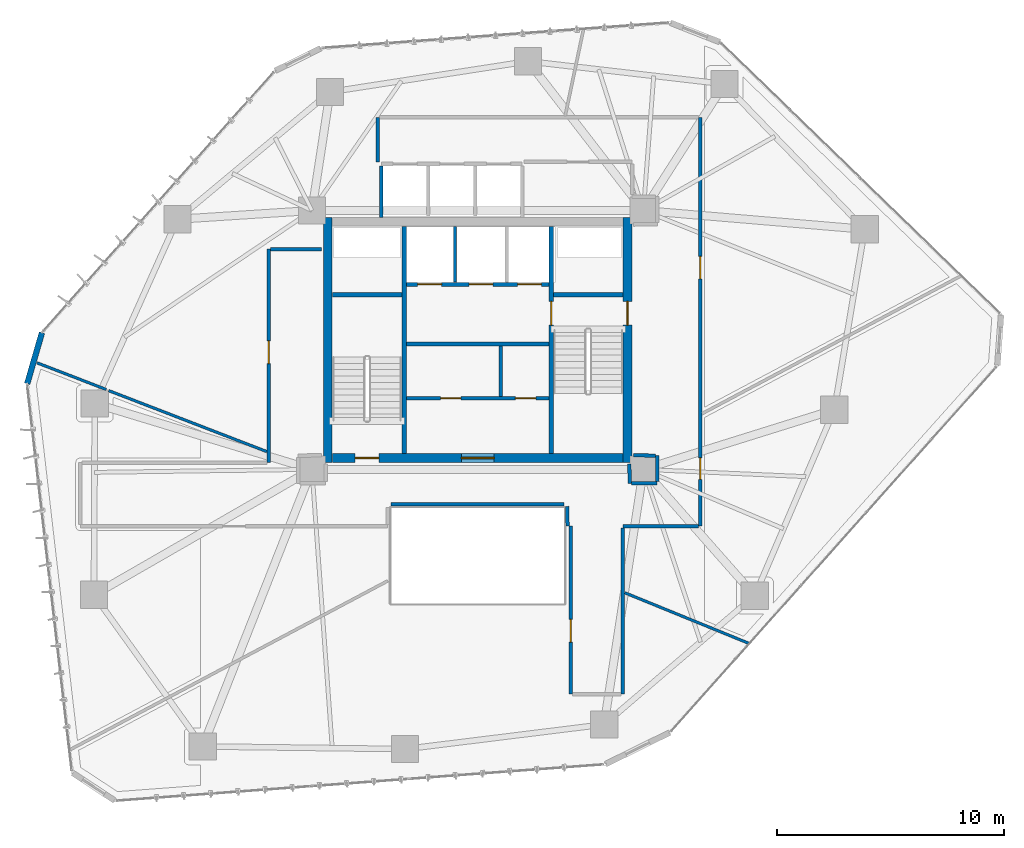
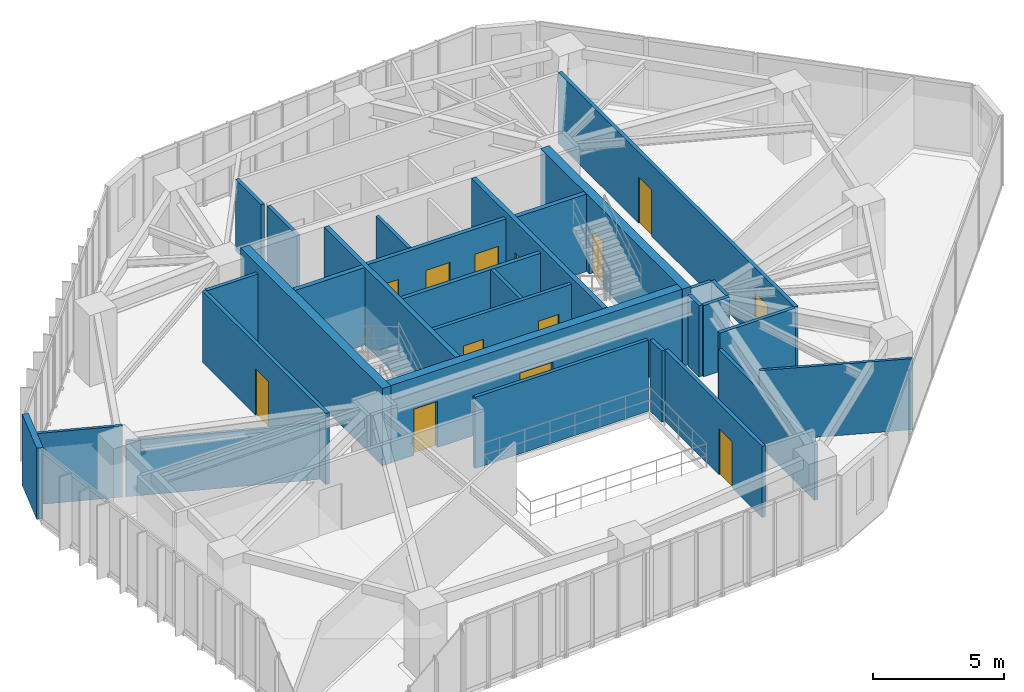
# One storey, part 18 of 23: 30 walls, 13 doors, 13 openings.
"""IFC4 building model written with IfcOpenShell, lengths in metres."""

import ifcopenshell
import ifcopenshell.guid

model = None  # the IFC model being written
_history = None  # IfcOwnerHistory: only IFC2X3 demands one
_inside = {}  # id of a spatial element -> (the spatial element, [elements in it])
_under = {}  # id of a project, library or spatial element -> (it, [spatial elements below it])
_declared = {}  # id of a project -> (the project, [libraries it declares])
_typed = {}  # id of a type object -> (the type object, [elements of that type])
_made_of = {}  # id of a material, layer set ... -> (it, [elements and type objects made of it])


def new_model(schema):
    """Start an empty IFC model of exactly this schema.

    Asked for "IFC4X3", IfcOpenShell would pick the latest addendum, in which some entities
    have other attributes; the version numbers below select the first issue.
    IFC2X3 requires an IfcOwnerHistory on every rooted entity: one is made here for all.
    """
    global model, _history
    if schema == "IFC4X3":
        model = ifcopenshell.file(schema_version=(4, 3, 0, 0))
    else:
        model = ifcopenshell.file(schema=schema)
    _inside.clear()
    _under.clear()
    _declared.clear()
    _typed.clear()
    _made_of.clear()
    _history = None
    if model.schema == "IFC2X3":
        org = make("IfcOrganization", Name="unknown")
        user = make(
            "IfcPersonAndOrganization",
            ThePerson=make("IfcPerson", FamilyName="unknown"),
            TheOrganization=org,
        )
        app = make(
            "IfcApplication",
            ApplicationDeveloper=org,
            Version="unknown",
            ApplicationFullName="unknown",
            ApplicationIdentifier="unknown",
        )
        _history = make(
            "IfcOwnerHistory",
            OwningUser=user,
            OwningApplication=app,
            ChangeAction="ADDED",
            CreationDate=0,
        )
    return model


def make(cls, **values):
    """One entity of the class cls with the attributes given. An attribute that is None is left unset."""
    return model.create_entity(
        cls, **{name: value for name, value in values.items() if value is not None}
    )


def rooted(cls, **values):
    """An entity with a GlobalId (a new one), such as an element, a storey or a relation."""
    return make(cls, GlobalId=ifcopenshell.guid.new(), OwnerHistory=_history, **values)


def si_unit(unit_type, name, prefix=None):
    """IfcSIUnit, for example si_unit("LENGTHUNIT", "METRE", prefix="MILLI")."""
    return make("IfcSIUnit", UnitType=unit_type, Prefix=prefix, Name=name)


def assignment(units):
    """IfcUnitAssignment: the units of a project."""
    return None if units is None else make("IfcUnitAssignment", Units=units)


def point(xyz):
    """IfcCartesianPoint."""
    return None if xyz is None else make("IfcCartesianPoint", Coordinates=xyz)


def direction(xyz):
    """IfcDirection."""
    return None if xyz is None else make("IfcDirection", DirectionRatios=xyz)


def frame(location, z_axis=None, x_axis=None):
    """IfcAxis2Placement3D, a coordinate frame: its origin and axes. An axis left out is left unset."""
    return make(
        "IfcAxis2Placement3D",
        Location=point(location),
        Axis=direction(z_axis),
        RefDirection=direction(x_axis),
    )


def frame_2d(location, x_axis=None):
    """IfcAxis2Placement2D, a coordinate frame in the plane: its origin and x axis."""
    return make(
        "IfcAxis2Placement2D", Location=point(location), RefDirection=direction(x_axis)
    )


def origin():
    """The frame at (0, 0, 0) with its axes left unset."""
    return frame((0.0, 0.0, 0.0))


def place(relative_to, where):
    """IfcLocalPlacement: puts the frame where relative to a parent placement (None: the world)."""
    return make(
        "IfcLocalPlacement", PlacementRelTo=relative_to, RelativePlacement=where
    )


def context(
    kind, dimensions, precision=None, world=None, true_north=None, identifier=None
):
    """IfcGeometricRepresentationContext, for example the 3D "Model" context."""
    return make(
        "IfcGeometricRepresentationContext",
        ContextIdentifier=identifier,
        ContextType=kind,
        CoordinateSpaceDimension=dimensions,
        Precision=precision,
        WorldCoordinateSystem=world,
        TrueNorth=true_north,
    )


def subcontext(parent, identifier, kind, view, scale=None):
    """IfcGeometricRepresentationSubContext, for example "Body" below "Model"."""
    return make(
        "IfcGeometricRepresentationSubContext",
        ContextIdentifier=identifier,
        ContextType=kind,
        ParentContext=parent,
        TargetScale=scale,
        TargetView=view,
    )


def project(units=None, contexts=None):
    """IfcProject with its units and contexts."""
    return rooted(
        "IfcProject",
        Name="project",
        RepresentationContexts=contexts,
        UnitsInContext=assignment(units),
    )


def spatial(cls, under=None, at=None, **own):
    """A site, building, storey or space (cls), placed at a placement, below another one or the project."""
    s = rooted(cls, ObjectPlacement=at, **own)
    if under is not None:
        _under.setdefault(under.id(), (under, []))[1].append(s)
    return s


def profile(cls, at=None, kind="AREA", **sizes):
    """A parametric profile (cls). Its sizes go by their IFC names, for example OverallWidth=200.0."""
    return make(cls, ProfileType=kind, Position=at, **sizes)


def rectangle(**sizes):
    """IfcRectangleProfileDef."""
    return profile("IfcRectangleProfileDef", **sizes)


def extrude(swept, where, along, depth):
    """IfcExtrudedAreaSolid: the profile swept, set in the frame where, extruded along a direction by depth."""
    return make(
        "IfcExtrudedAreaSolid",
        SweptArea=swept,
        Position=where,
        ExtrudedDirection=direction(along),
        Depth=depth,
    )


def shape(context_of_items, identifier, shape_type, items):
    """IfcShapeRepresentation: the items that make up one representation, for example the "Body"."""
    return make(
        "IfcShapeRepresentation",
        ContextOfItems=context_of_items,
        RepresentationIdentifier=identifier,
        RepresentationType=shape_type,
        Items=items,
    )


def source(mapping_origin, context_of_items, identifier, shape_type, items):
    """IfcRepresentationMap: a shape defined once, which mapped items show again and again."""
    return make(
        "IfcRepresentationMap",
        MappingOrigin=mapping_origin,
        MappedRepresentation=shape(context_of_items, identifier, shape_type, items),
    )


def transform(
    local_origin,
    x_axis=None,
    y_axis=None,
    z_axis=None,
    scale=None,
    scale2=None,
    scale3=None,
    uniform=True,
):
    """IfcCartesianTransformationOperator3D, or its non-uniform kind. x_axis, y_axis, z_axis: its Axis1, 2, 3."""
    if uniform:
        return make(
            "IfcCartesianTransformationOperator3D",
            Axis1=direction(x_axis),
            Axis2=direction(y_axis),
            LocalOrigin=point(local_origin),
            Scale=scale,
            Axis3=direction(z_axis),
        )
    return make(
        "IfcCartesianTransformationOperator3DnonUniform",
        Axis1=direction(x_axis),
        Axis2=direction(y_axis),
        LocalOrigin=point(local_origin),
        Scale=scale,
        Axis3=direction(z_axis),
        Scale2=scale2,
        Scale3=scale3,
    )


def mapped(mapping_source, mapping_target):
    """IfcMappedItem: shows the shape of a source again, moved by a transform."""
    return make(
        "IfcMappedItem", MappingSource=mapping_source, MappingTarget=mapping_target
    )


def material(Name=None, Category=None):
    """IfcMaterial."""
    return make("IfcMaterial", Name=Name, Category=Category)


def layer(
    of_material, thickness, ventilated=None, Name=None, Category=None, Priority=None
):
    """IfcMaterialLayer: one layer of a wall or slab, of a material (None: an air gap)."""
    return make(
        "IfcMaterialLayer",
        Material=of_material,
        LayerThickness=thickness,
        IsVentilated=ventilated,
        Name=Name,
        Category=Category,
        Priority=Priority,
    )


def layer_set(layers, Name=None):
    """IfcMaterialLayerSet."""
    return make("IfcMaterialLayerSet", MaterialLayers=layers, LayerSetName=Name)


def made_of(thing, what):
    """Note that an element or type object is made of a material, layer set ...; save() writes the relation."""
    if what is not None:
        _made_of.setdefault(what.id(), (what, []))[1].append(thing)
    return thing


def type_object(cls, material=None, **own):
    """A type object (cls), such as IfcWallType, which elements share."""
    return made_of(rooted(cls, **own), material)


def type_shapes(of_type, sources):
    """Give a type object the sources (RepresentationMaps) that its elements show as mapped items."""
    of_type.RepresentationMaps = sources


def element(
    cls,
    number,
    at=None,
    inside=None,
    cuts=None,
    type_object=None,
    material=None,
    context=None,
    identifier="Body",
    shape_type=None,
    held_by="IfcProductDefinitionShape",
    body=None,
    shapes=None,
    **own,
):
    """One element of the class cls, such as IfcWall. Its Tag is "e" and its number.

    at: its placement. inside: the storey or other place that contains it. cuts: it is an
    opening in that element (IfcRelVoidsElement). A single representation is given by context,
    identifier, shape_type and body (its items); several are given by shapes. held_by: the class
    of the entity that holds the representations. save() writes the other relations.
    """
    e = rooted(cls, Tag="e%d" % number, ObjectPlacement=at, **own)
    if body is not None:
        shapes = [shape(context, identifier, shape_type, body)]
    if shapes is not None:
        e.Representation = make(held_by, Representations=shapes)
    if inside is not None:
        _inside.setdefault(inside.id(), (inside, []))[1].append(e)
    if cuts is not None:
        rooted(
            "IfcRelVoidsElement", RelatingBuildingElement=cuts, RelatedOpeningElement=e
        )
    if type_object is not None:
        _typed.setdefault(type_object.id(), (type_object, []))[1].append(e)
    return made_of(e, material)


def fill(opening, filler):
    """IfcRelFillsElement: the door or window that sits in an opening."""
    return rooted(
        "IfcRelFillsElement",
        RelatingOpeningElement=opening,
        RelatedBuildingElement=filler,
    )


def aggregate(whole, parts):
    """IfcRelAggregates: a whole, such as a stair, and the parts it consists of."""
    return rooted("IfcRelAggregates", RelatingObject=whole, RelatedObjects=parts)


def save(model, path):
    """Write the relations noted so far, then the file.

    IfcRelAggregates (storeys below a building ...), IfcRelContainedInSpatialStructure (elements
    in a storey), IfcRelDefinesByType, IfcRelAssociatesMaterial and IfcRelDeclares: one each for
    every whole, place, type object, material and project.
    """
    for whole, parts in _under.values():
        aggregate(whole, parts)
    for where, things in _inside.values():
        rooted(
            "IfcRelContainedInSpatialStructure",
            RelatedElements=things,
            RelatingStructure=where,
        )
    for kind, things in _typed.values():
        rooted("IfcRelDefinesByType", RelatedObjects=things, RelatingType=kind)
    for what, things in _made_of.values():
        rooted("IfcRelAssociatesMaterial", RelatedObjects=things, RelatingMaterial=what)
    for by, libraries in _declared.values():
        rooted("IfcRelDeclares", RelatingContext=by, RelatedDefinitions=libraries)
    model.write(path)


model = new_model("IFC4")

# Units and contexts
model_context = context("Model", 3, precision=1e-05, world=origin(), true_north=direction((0.0, 1.0)))
body_context = subcontext(model_context, "Body", "Model", "MODEL_VIEW")
ifc_project = project(units=[si_unit("LENGTHUNIT", "METRE"), si_unit("AREAUNIT", "SQUARE_METRE"), si_unit("VOLUMEUNIT", "CUBIC_METRE"), si_unit("PLANEANGLEUNIT", "RADIAN"), si_unit("MASSUNIT", "GRAM", prefix="KILO")], contexts=[model_context])

# Site, building, storey
site_placement = place(None, origin())
site = spatial("IfcSite", under=ifc_project, at=site_placement, CompositionType="ELEMENT")
building_placement = place(site_placement, origin())
building = spatial("IfcBuilding", under=site, at=building_placement, Name="Talar Marvaseh", CompositionType="ELEMENT")
storey_placement = place(building_placement, frame((0.0, 0.0, 103.800048828125)))
storey = spatial("IfcBuildingStorey", under=building, at=storey_placement, Name="L26", CompositionType="ELEMENT", Elevation=103.800048828125)

# Wall
ifc_material_1 = material(Name="Precast concrete C45/55", Category="concrete")
ifc_layer_1 = layer(ifc_material_1, 0.2548828125)
ifc_layer_set_1 = layer_set([ifc_layer_1], Name="Precast concrete C45/55")
wall_type_1 = type_object("IfcWallType", Name="Chamfered Hexagonal Corner Pier Wall Z2 255", PredefinedType="SOLIDWALL", material=ifc_layer_set_1)
wall_1_placement = place(storey_placement, frame((6.162109375, 29.275146484375, 0.0), z_axis=(0.0, 0.0, 1.0), x_axis=(0.27764019342, 0.960685132079, 0.0)))
element("IfcWall", 1, at=wall_1_placement, inside=storey, type_object=wall_type_1, Name="L26 Chamfered Corner Limestone Pier 2", PredefinedType="SOLIDWALL", context=body_context, shape_type="SweptSolid", body=[
    extrude(rectangle(XDim=2.3408203125, YDim=0.2548828125, at=frame_2d((1.17041015625, 0.0))), origin(), (0.0, 0.0, 1.0), 3.31005859375),
])

# Wall, openings, doors
ifc_material_2 = material(Name="Gypsum Board Partition Assembly")
ifc_layer_2 = layer(ifc_material_2, 0.155029296875)
ifc_layer_set_2 = layer_set([ifc_layer_2], Name="Gypsum Board Partition Assembly")
wall_type_2 = type_object("IfcWallType", Name="Corridor Fire-Rated Acoustic Partition 155", PredefinedType="PARTITIONING", material=ifc_layer_set_2)
wall_2_placement = place(storey_placement, frame((22.865966796875, 28.639892578125, 0.0), z_axis=(0.0, 0.0, 1.0), x_axis=(1.0, 0.0, 0.0)))
wall_2 = element("IfcWall", 2, at=wall_2_placement, inside=storey, type_object=wall_type_2, Name="L26 Core BOH Partition", PredefinedType="PARTITIONING", context=body_context, shape_type="SweptSolid", body=[
    extrude(rectangle(XDim=6.26806640625, YDim=0.155029296875, at=frame_2d((3.134033203125, 0.0))), origin(), (0.0, 0.0, 1.0), 3.31005859375),
])
opening_1_placement = place(wall_2_placement, frame((1.5, 0.0, 0.0)))
opening_1 = element("IfcOpeningElement", 3, at=opening_1_placement, cuts=wall_2, Name="Opening DR-BOH090", PredefinedType="OPENING", context=body_context, shape_type="SweptSolid", body=[
    extrude(rectangle(XDim=0.89990234375, YDim=2.10009765625, at=frame_2d((0.449951171875, 1.050048828125))), frame((0.0, 0.08740234375, 0.0), z_axis=(0.0, -1.0, 0.0), x_axis=(1.0, 0.0, 0.0)), (0.0, 0.0, 1.0), 0.175048828125),
])
opening_2_placement = place(wall_2_placement, frame((4.800048828125, 0.0, 0.0)))
opening_2 = element("IfcOpeningElement", 4, at=opening_2_placement, cuts=wall_2, Name="Opening DR-BOH090", PredefinedType="OPENING", context=body_context, shape_type="SweptSolid", body=[
    extrude(rectangle(XDim=0.89990234375, YDim=2.10009765625, at=frame_2d((0.449951171875, 1.050048828125))), frame((0.0, 0.08740234375, 0.0), z_axis=(0.0, -1.0, 0.0), x_axis=(1.0, 0.0, 0.0)), (0.0, 0.0, 1.0), 0.175048828125),
])
ifc_material_3 = material(Name="Fire-Rated Steel Door Leaf", Category="steel")
door_type_1 = type_object("IfcDoorType", Name="Core Back-of-House Service Door 900x2100", OperationType="NOTDEFINED", PredefinedType="DOOR", material=ifc_material_3)
shared_shape_1 = source(origin(), body_context, "Body", "SweptSolid", [
    extrude(rectangle(XDim=0.89990234375, YDim=2.10009765625, at=frame_2d((0.449951171875, 1.050048828125))), frame((0.0, 0.02490234375, 0.0), z_axis=(0.0, -1.0, 0.0), x_axis=(1.0, 0.0, 0.0)), (0.0, 0.0, 1.0), 0.050048828125),
])
type_shapes(door_type_1, [shared_shape_1])
door_1_placement = place(opening_1_placement, origin())
door_1 = element("IfcDoor", 5, at=door_1_placement, inside=storey, type_object=door_type_1, Name="L26 Plant Core Comms Switch Room Door", OperationType="SINGLE_SWING_LEFT", OverallHeight=2.10009765625, OverallWidth=0.89990234375, PredefinedType="DOOR", context=body_context, shape_type="MappedRepresentation", body=[
    mapped(shared_shape_1, transform((0.0, 0.0, 0.0), x_axis=(1.0, 0.0, 0.0), y_axis=(0.0, 1.0, 0.0), z_axis=(0.0, 0.0, 1.0), scale=1.0)),
])
fill(opening_1, door_1)
door_2_placement = place(opening_2_placement, origin())
door_2 = element("IfcDoor", 6, at=door_2_placement, inside=storey, type_object=door_type_1, Name="L26 Cleaner Cupboard Door", OperationType="SINGLE_SWING_RIGHT", OverallHeight=2.10009765625, OverallWidth=0.89990234375, PredefinedType="DOOR", context=body_context, shape_type="MappedRepresentation", body=[
    mapped(shared_shape_1, transform((0.0, 0.0, 0.0), x_axis=(1.0, 0.0, 0.0), y_axis=(0.0, 1.0, 0.0), z_axis=(0.0, 0.0, 1.0), scale=1.0)),
])
fill(opening_2, door_2)

# Wall
wall_3_placement = place(storey_placement, frame((27.02001953125, 28.719970703125, 0.0), z_axis=(0.0, 0.0, 1.0), x_axis=(0.0, 1.0, 0.0)))
element("IfcWall", 7, at=wall_3_placement, inside=storey, type_object=wall_type_2, Name="L26 Core BOH Partition", PredefinedType="PARTITIONING", context=body_context, shape_type="SweptSolid", body=[
    extrude(rectangle(XDim=2.219970703125, YDim=0.155029296875, at=frame_2d((1.10986328125, 0.0))), origin(), (0.0, 0.0, 1.0), 3.31005859375),
])

# Wall, opening, door
wall_4_placement = place(storey_placement, frame((16.800048828125, 25.800048828125, 0.0), z_axis=(0.0, 0.0, 1.0), x_axis=(0.0, 1.0, 0.0)))
wall_4 = element("IfcWall", 8, at=wall_4_placement, inside=storey, type_object=wall_type_2, Name="L26 Interior Partition Wall", PredefinedType="PARTITIONING", context=body_context, shape_type="SweptSolid", body=[
    extrude(rectangle(XDim=9.39990234375, YDim=0.155029296875, at=frame_2d((4.699951171875, 0.0))), origin(), (0.0, 0.0, 1.0), 3.31005859375),
])
opening_3_placement = place(wall_4_placement, frame((4.356201171875, 0.0, 0.0)))
opening_3 = element("IfcOpeningElement", 9, at=opening_3_placement, cuts=wall_4, Name="Opening DR-RM100", PredefinedType="OPENING", context=body_context, shape_type="SweptSolid", body=[
    extrude(rectangle(XDim=1.0, YDim=2.14990234375, at=frame_2d((0.5, 1.074951171875))), frame((0.0, 0.08740234375, 0.0), z_axis=(0.0, -1.0, 0.0), x_axis=(1.0, 0.0, 0.0)), (0.0, 0.0, 1.0), 0.175048828125),
])
ifc_material_4 = material(Name="Acoustic Engineered Oak Timber", Category="wood")
door_type_2 = type_object("IfcDoorType", Name="Corridor Fire-Rated Gallery Door 1000x2150", OperationType="NOTDEFINED", PredefinedType="DOOR", material=ifc_material_4)
shared_shape_2 = source(origin(), body_context, "Body", "SweptSolid", [
    extrude(rectangle(XDim=1.0, YDim=2.14990234375, at=frame_2d((0.5, 1.074951171875))), frame((0.0, 0.02490234375, 0.0), z_axis=(0.0, -1.0, 0.0), x_axis=(1.0, 0.0, 0.0)), (0.0, 0.0, 1.0), 0.050048828125),
])
type_shapes(door_type_2, [shared_shape_2])
door_3_placement = place(opening_3_placement, origin())
door_3 = element("IfcDoor", 10, at=door_3_placement, inside=storey, type_object=door_type_2, Name="L26 Colloquium Boardroom Door", OperationType="SINGLE_SWING_RIGHT", OverallHeight=2.14990234375, OverallWidth=1.0, PredefinedType="DOOR", context=body_context, shape_type="MappedRepresentation", body=[
    mapped(shared_shape_2, transform((0.0, 0.0, 0.0), x_axis=(1.0, 0.0, 0.0), y_axis=(0.0, 1.0, 0.0), z_axis=(0.0, 0.0, 1.0), scale=1.0)),
])
fill(opening_3, door_3)

# Wall, openings, doors
wall_5_placement = place(storey_placement, frame((35.800048828125, 41.0, 0.0), z_axis=(0.0, 0.0, 1.0), x_axis=(0.0, -1.0, 0.0)))
wall_5 = element("IfcWall", 11, at=wall_5_placement, inside=storey, type_object=wall_type_2, Name="L26 Interior Partition Wall", PredefinedType="PARTITIONING", context=body_context, shape_type="SweptSolid", body=[
    extrude(rectangle(XDim=18.0, YDim=0.155029296875, at=frame_2d((9.0, 0.0))), origin(), (0.0, 0.0, 1.0), 3.31005859375),
])
opening_4_placement = place(wall_5_placement, frame((14.990234375, 0.0, 0.0)))
opening_4 = element("IfcOpeningElement", 12, at=opening_4_placement, cuts=wall_5, Name="Opening DR-WC095", PredefinedType="OPENING", context=body_context, shape_type="SweptSolid", body=[
    extrude(rectangle(XDim=0.949951171875, YDim=2.14990234375, at=frame_2d((0.47509765625, 1.074951171875))), frame((0.0, 0.08740234375, 0.0), z_axis=(0.0, -1.0, 0.0), x_axis=(1.0, 0.0, 0.0)), (0.0, 0.0, 1.0), 0.175048828125),
])
opening_5_placement = place(wall_5_placement, frame((6.114501953125, 0.0, 0.0)))
opening_5 = element("IfcOpeningElement", 13, at=opening_5_placement, cuts=wall_5, Name="Opening DR-RM100", PredefinedType="OPENING", context=body_context, shape_type="SweptSolid", body=[
    extrude(rectangle(XDim=1.0, YDim=2.14990234375, at=frame_2d((0.5, 1.074951171875))), frame((0.0, 0.08740234375, 0.0), z_axis=(0.0, -1.0, 0.0), x_axis=(1.0, 0.0, 0.0)), (0.0, 0.0, 1.0), 0.175048828125),
])
door_type_3 = type_object("IfcDoorType", Name="Washroom and Service Room Door 950x2150", OperationType="NOTDEFINED", PredefinedType="DOOR", material=ifc_material_4)
shared_shape_3 = source(origin(), body_context, "Body", "SweptSolid", [
    extrude(rectangle(XDim=0.949951171875, YDim=2.14990234375, at=frame_2d((0.47509765625, 1.074951171875))), frame((0.0, 0.02490234375, 0.0), z_axis=(0.0, -1.0, 0.0), x_axis=(1.0, 0.0, 0.0)), (0.0, 0.0, 1.0), 0.050048828125),
])
type_shapes(door_type_3, [shared_shape_3])
door_4_placement = place(opening_4_placement, origin())
door_4 = element("IfcDoor", 14, at=door_4_placement, inside=storey, type_object=door_type_3, Name="L26 Accessible WC Block Door", OperationType="SINGLE_SWING_LEFT", OverallHeight=2.14990234375, OverallWidth=0.949951171875, PredefinedType="DOOR", context=body_context, shape_type="MappedRepresentation", body=[
    mapped(shared_shape_3, transform((0.0, 0.0, 0.0), x_axis=(1.0, 0.0, 0.0), y_axis=(0.0, 1.0, 0.0), z_axis=(0.0, 0.0, 1.0), scale=1.0)),
])
fill(opening_4, door_4)
door_5_placement = place(opening_5_placement, origin())
door_5 = element("IfcDoor", 15, at=door_5_placement, inside=storey, type_object=door_type_2, Name="L26 Archival Research Office Door", OperationType="SINGLE_SWING_RIGHT", OverallHeight=2.14990234375, OverallWidth=1.0, PredefinedType="DOOR", context=body_context, shape_type="MappedRepresentation", body=[
    mapped(shared_shape_2, transform((0.0, 0.0, 0.0), x_axis=(1.0, 0.0, 0.0), y_axis=(0.0, 1.0, 0.0), z_axis=(0.0, 0.0, 1.0), scale=1.0)),
])
fill(opening_5, door_5)

# Wall, opening, door
wall_6_placement = place(storey_placement, frame((30.10009765625, 15.60009765625, 0.0), z_axis=(0.0, 0.0, 1.0), x_axis=(0.0, 1.0, 0.0)))
wall_6 = element("IfcWall", 16, at=wall_6_placement, inside=storey, type_object=wall_type_2, Name="L26 Interior Partition Wall", PredefinedType="PARTITIONING", context=body_context, shape_type="SweptSolid", body=[
    extrude(rectangle(XDim=7.39990234375, YDim=0.155029296875, at=frame_2d((3.699951171875, 0.0))), origin(), (0.0, 0.0, 1.0), 3.31005859375),
])
opening_6_placement = place(wall_6_placement, frame((2.291259765625, 0.0, 0.0)))
opening_6 = element("IfcOpeningElement", 17, at=opening_6_placement, cuts=wall_6, Name="Opening DR-RM100", PredefinedType="OPENING", context=body_context, shape_type="SweptSolid", body=[
    extrude(rectangle(XDim=1.0, YDim=2.14990234375, at=frame_2d((0.5, 1.074951171875))), frame((0.0, 0.08740234375, 0.0), z_axis=(0.0, -1.0, 0.0), x_axis=(1.0, 0.0, 0.0)), (0.0, 0.0, 1.0), 0.175048828125),
])
door_6_placement = place(opening_6_placement, origin())
door_6 = element("IfcDoor", 18, at=door_6_placement, inside=storey, type_object=door_type_2, Name="L26 Seminar Room Door", OperationType="SINGLE_SWING_RIGHT", OverallHeight=2.14990234375, OverallWidth=1.0, PredefinedType="DOOR", context=body_context, shape_type="MappedRepresentation", body=[
    mapped(shared_shape_2, transform((0.0, 0.0, 0.0), x_axis=(1.0, 0.0, 0.0), y_axis=(0.0, 1.0, 0.0), z_axis=(0.0, 0.0, 1.0), scale=1.0)),
])
fill(opening_6, door_6)

# Walls
wall_7_placement = place(storey_placement, frame((29.800048828125, 23.9599609375, 0.0), z_axis=(0.0, 0.0, 1.0), x_axis=(-0.999999995375, -9.617234e-05, 0.0)))
element("IfcWall", 19, at=wall_7_placement, inside=storey, type_object=wall_type_2, Name="L26 Interior Partition Wall", PredefinedType="PARTITIONING", context=body_context, shape_type="SweptSolid", body=[
    extrude(rectangle(XDim=7.61572265625, YDim=0.155029296875, at=frame_2d((3.807861328125, 0.0))), origin(), (0.0, 0.0, 1.0), 3.31005859375),
])
wall_8_placement = place(storey_placement, frame((16.883544921875, 35.199951171875, 0.0), z_axis=(0.0, 0.0, 1.0), x_axis=(1.0, 0.0, 0.0)))
element("IfcWall", 20, at=wall_8_placement, inside=storey, type_object=wall_type_2, Name="L26 Interior Partition Wall", PredefinedType="PARTITIONING", context=body_context, shape_type="SweptSolid", body=[
    extrude(rectangle(XDim=2.246337890625, YDim=0.155029296875, at=frame_2d((1.123046875, 0.0))), origin(), (0.0, 0.0, 1.0), 3.31005859375),
])
wall_9_placement = place(storey_placement, frame((32.68505859375, 25.72998046875, 0.0), z_axis=(0.0, 0.0, 1.0), x_axis=(0.006382231486, -0.999979633353, 0.0)))
element("IfcWall", 21, at=wall_9_placement, inside=storey, type_object=wall_type_2, Name="L26 Interior Partition Wall", PredefinedType="PARTITIONING", context=body_context, shape_type="SweptSolid", body=[
    extrude(rectangle(XDim=0.841552734375, YDim=0.155029296875, at=frame_2d((0.4208984375, 0.0))), origin(), (0.0, 0.0, 1.0), 3.31005859375),
])
wall_10_placement = place(storey_placement, frame((32.77392578125, 24.88818359375, 0.0), z_axis=(0.0, 0.0, 1.0), x_axis=(0.999999164303, -0.001292823742, 0.0)))
element("IfcWall", 22, at=wall_10_placement, inside=storey, type_object=wall_type_2, Name="L26 Interior Partition Wall", PredefinedType="PARTITIONING", context=body_context, shape_type="SweptSolid", body=[
    extrude(rectangle(XDim=1.133056640625, YDim=0.155029296875, at=frame_2d((0.56640625, 0.0))), origin(), (0.0, 0.0, 1.0), 3.31005859375),
])
wall_11_placement = place(storey_placement, frame((33.907470703125, 24.97021484375, 0.0), z_axis=(0.0, 0.0, 1.0), x_axis=(0.003642572792, 0.99999336581, 0.0)))
element("IfcWall", 23, at=wall_11_placement, inside=storey, type_object=wall_type_2, Name="L26 Interior Partition Wall", PredefinedType="PARTITIONING", context=body_context, shape_type="SweptSolid", body=[
    extrude(rectangle(XDim=1.139404296875, YDim=0.155029296875, at=frame_2d((0.56982421875, 0.0))), origin(), (0.0, 0.0, 1.0), 3.31005859375),
])
wall_12_placement = place(storey_placement, frame((33.828125, 26.110107421875, 0.0), z_axis=(0.0, 0.0, 1.0), x_axis=(-0.999987011364, 0.005096773758, 0.0)))
element("IfcWall", 24, at=wall_12_placement, inside=storey, type_object=wall_type_2, Name="L26 Interior Partition Wall", PredefinedType="PARTITIONING", context=body_context, shape_type="SweptSolid", body=[
    extrude(rectangle(XDim=0.9580078125, YDim=0.155029296875, at=frame_2d((0.47900390625, 0.0))), origin(), (0.0, 0.0, 1.0), 3.31005859375),
])
wall_13_placement = place(storey_placement, frame((21.60009765625, 39.0400390625, 0.0), z_axis=(0.0, 0.0, 1.0), x_axis=(0.0, 1.0, 0.0)))
element("IfcWall", 25, at=wall_13_placement, inside=storey, type_object=wall_type_2, Name="L26 Interior Partition Wall", PredefinedType="PARTITIONING", context=body_context, shape_type="SweptSolid", body=[
    extrude(rectangle(XDim=1.9599609375, YDim=0.155029296875, at=frame_2d((0.97998046875, 0.0))), origin(), (0.0, 0.0, 1.0), 3.31005859375),
])
wall_14_placement = place(storey_placement, frame((35.716552734375, 23.0, 0.0), z_axis=(0.0, 0.0, 1.0), x_axis=(-1.0, 0.0, 0.0)))
element("IfcWall", 26, at=wall_14_placement, inside=storey, type_object=wall_type_2, Name="L26 Interior Partition Wall", PredefinedType="PARTITIONING", context=body_context, shape_type="SweptSolid", body=[
    extrude(rectangle(XDim=3.316650390625, YDim=0.155029296875, at=frame_2d((1.658203125, 0.0))), origin(), (0.0, 0.0, 1.0), 3.31005859375),
])
wall_15_placement = place(storey_placement, frame((32.39990234375, 22.91650390625, 0.0), z_axis=(0.0, 0.0, 1.0), x_axis=(0.0, -1.0, 0.0)))
element("IfcWall", 27, at=wall_15_placement, inside=storey, type_object=wall_type_2, Name="L26 Interior Partition Wall", PredefinedType="PARTITIONING", context=body_context, shape_type="SweptSolid", body=[
    extrude(rectangle(XDim=7.31640625, YDim=0.155029296875, at=frame_2d((3.658203125, 0.0))), origin(), (0.0, 0.0, 1.0), 2.58984375),
])
wall_16_placement = place(storey_placement, frame((29.9599609375, 23.0, 0.0), z_axis=(0.0, 0.0, 1.0), x_axis=(-0.021467444279, 0.999769547864, 0.0)))
element("IfcWall", 28, at=wall_16_placement, inside=storey, type_object=wall_type_2, Name="L26 Interior Partition Wall", PredefinedType="PARTITIONING", context=body_context, shape_type="SweptSolid", body=[
    extrude(rectangle(XDim=0.875732421875, YDim=0.155029296875, at=frame_2d((0.43798828125, 0.0))), origin(), (0.0, 0.0, 1.0), 3.31005859375),
])
ifc_layer_3 = layer(ifc_material_2, 0.1201171875)
ifc_layer_set_3 = layer_set([ifc_layer_3], Name="Gypsum Board Partition Assembly")
wall_type_3 = type_object("IfcWallType", Name="Demountable Studio Room Partition 120", PredefinedType="PARTITIONING", material=ifc_layer_set_3)
wall_17_placement = place(storey_placement, frame((6.59619140625, 30.193115234375, 0.0), z_axis=(0.0, 0.0, 1.0), x_axis=(0.933094608605, -0.35963099337, 0.0)))
element("IfcWall", 29, at=wall_17_placement, inside=storey, type_object=wall_type_3, Name="L26 Interior Partition Wall", PredefinedType="PARTITIONING", context=body_context, shape_type="SweptSolid", body=[
    extrude(rectangle(XDim=3.261962890625, YDim=0.1201171875, at=frame_2d((1.630859375, 0.0))), origin(), (0.0, 0.0, 1.0), 3.31005859375),
])
wall_18_placement = place(storey_placement, frame((9.75, 28.969970703125, 0.0), z_axis=(0.0, 0.0, 1.0), x_axis=(0.932972642156, -0.359947286402, 0.0)))
element("IfcWall", 30, at=wall_18_placement, inside=storey, type_object=wall_type_3, Name="L26 Interior Partition Wall", PredefinedType="PARTITIONING", context=body_context, shape_type="SweptSolid", body=[
    extrude(rectangle(XDim=7.467041015625, YDim=0.1201171875, at=frame_2d((3.7333984375, 0.0))), origin(), (0.0, 0.0, 1.0), 2.58984375),
])
wall_19_placement = place(storey_placement, frame((32.4833984375, 20.06591796875, 0.0), z_axis=(0.0, 0.0, 1.0), x_axis=(0.92596585414, -0.37760725227, 0.0)))
element("IfcWall", 31, at=wall_19_placement, inside=storey, type_object=wall_type_3, Name="L26 Interior Partition Wall", PredefinedType="PARTITIONING", context=body_context, shape_type="SweptSolid", body=[
    extrude(rectangle(XDim=5.896484375, YDim=0.1201171875, at=frame_2d((2.9482421875, 0.0))), origin(), (0.0, 0.0, 1.0), 3.31005859375),
])
ifc_layer_4 = layer(ifc_material_1, 0.14501953125)
ifc_layer_set_4 = layer_set([ifc_layer_4], Name="Precast concrete C45/55")
wall_type_4 = type_object("IfcWallType", Name="Fire-Rated Lift Divider Wall 145", PredefinedType="SOLIDWALL", material=ifc_layer_set_4)
wall_20_placement = place(storey_placement, frame((25.0, 33.743408203125, 0.0), z_axis=(0.0, 0.0, 1.0), x_axis=(0.0, 1.0, 0.0)))
element("IfcWall", 32, at=wall_20_placement, inside=storey, type_object=wall_type_4, Name="L26 FFL-1/FFL-2 Divider", PredefinedType="SOLIDWALL", context=body_context, shape_type="SweptSolid", body=[
    extrude(rectangle(XDim=2.45654296875, YDim=0.14501953125, at=frame_2d((1.228271484375, 0.0))), origin(), (0.0, 0.0, 1.0), 3.31005859375),
])
wall_21_placement = place(storey_placement, frame((21.760009765625, 36.60009765625, 0.0), z_axis=(0.0, 0.0, 1.0), x_axis=(0.0, 1.0, 0.0)))
element("IfcWall", 33, at=wall_21_placement, inside=storey, type_object=wall_type_4, Name="L26 Low-Rise Bank West Wall", PredefinedType="SOLIDWALL", context=body_context, shape_type="SweptSolid", body=[
    extrude(rectangle(XDim=2.266357421875, YDim=0.14501953125, at=frame_2d((1.13330078125, 0.0))), origin(), (0.0, 0.0, 1.0), 3.31005859375),
])

# Wall, openings, doors
ifc_layer_5 = layer(ifc_material_1, 0.175048828125)
ifc_layer_set_5 = layer_set([ifc_layer_5], Name="Precast concrete C45/55")
wall_type_5 = type_object("IfcWallType", Name="Fire-Rated Lift Hoistway Enclosure Wall 175", PredefinedType="SOLIDWALL", material=ifc_layer_set_5)
wall_22_placement = place(storey_placement, frame((22.860107421875, 33.64990234375, 0.0), z_axis=(0.0, 0.0, 1.0), x_axis=(1.0, 0.0, 0.0)))
wall_22 = element("IfcWall", 34, at=wall_22_placement, inside=storey, type_object=wall_type_5, Name="L26 Firefighting and Service Lift Front Wall", PredefinedType="SOLIDWALL", context=body_context, shape_type="SweptSolid", body=[
    extrude(rectangle(XDim=6.27978515625, YDim=0.175048828125, at=frame_2d((3.139892578125, 0.0))), origin(), (0.0, 0.0, 1.0), 3.31005859375),
])
opening_7_placement = place(wall_22_placement, frame((0.5, 0.0, 0.0)))
opening_7 = element("IfcOpeningElement", 35, at=opening_7_placement, cuts=wall_22, Name="Opening LD-FF1", PredefinedType="OPENING", context=body_context, shape_type="SweptSolid", body=[
    extrude(rectangle(XDim=1.050048828125, YDim=2.14990234375, at=frame_2d((0.52490234375, 1.074951171875))), frame((0.0, 0.09765625, 0.0), z_axis=(0.0, -1.0, 0.0), x_axis=(1.0, 0.0, 0.0)), (0.0, 0.0, 1.0), 0.195068359375),
])
opening_8_placement = place(wall_22_placement, frame((2.760009765625, 0.0, 0.0)))
opening_8 = element("IfcOpeningElement", 36, at=opening_8_placement, cuts=wall_22, Name="Opening LD-FF2", PredefinedType="OPENING", context=body_context, shape_type="SweptSolid", body=[
    extrude(rectangle(XDim=1.050048828125, YDim=2.14990234375, at=frame_2d((0.52490234375, 1.074951171875))), frame((0.0, 0.09765625, 0.0), z_axis=(0.0, -1.0, 0.0), x_axis=(1.0, 0.0, 0.0)), (0.0, 0.0, 1.0), 0.195068359375),
])
opening_9_placement = place(wall_22_placement, frame((4.89990234375, 0.0, 0.0)))
opening_9 = element("IfcOpeningElement", 37, at=opening_9_placement, cuts=wall_22, Name="Opening LD-SV1", PredefinedType="OPENING", context=body_context, shape_type="SweptSolid", body=[
    extrude(rectangle(XDim=1.050048828125, YDim=2.14990234375, at=frame_2d((0.52490234375, 1.074951171875))), frame((0.0, 0.09765625, 0.0), z_axis=(0.0, -1.0, 0.0), x_axis=(1.0, 0.0, 0.0)), (0.0, 0.0, 1.0), 0.195068359375),
])
ifc_material_5 = material(Name="Stainless Steel Grade 316", Category="steel")
door_type_4 = type_object("IfcDoorType", Name="Automatic Sliding Lift Landing Door 1050x2150", OperationType="NOTDEFINED", PredefinedType="DOOR", material=ifc_material_5)
shared_shape_4 = source(origin(), body_context, "Body", "SweptSolid", [
    extrude(rectangle(XDim=1.050048828125, YDim=2.14990234375, at=frame_2d((0.52490234375, 1.074951171875))), frame((0.0, 0.02490234375, 0.0), z_axis=(0.0, -1.0, 0.0), x_axis=(1.0, 0.0, 0.0)), (0.0, 0.0, 1.0), 0.050048828125),
])
type_shapes(door_type_4, [shared_shape_4])
door_7_placement = place(opening_7_placement, origin())
door_7 = element("IfcDoor", 38, at=door_7_placement, inside=storey, type_object=door_type_4, Name="L26 Lift FFL-1 Sliding Landing Door", OperationType="SLIDING_TO_LEFT", OverallHeight=2.14990234375, OverallWidth=1.050048828125, PredefinedType="DOOR", context=body_context, shape_type="MappedRepresentation", body=[
    mapped(shared_shape_4, transform((0.0, 0.0, 0.0), x_axis=(1.0, 0.0, 0.0), y_axis=(0.0, 1.0, 0.0), z_axis=(0.0, 0.0, 1.0), scale=1.0)),
])
fill(opening_7, door_7)
door_8_placement = place(opening_8_placement, origin())
door_8 = element("IfcDoor", 39, at=door_8_placement, inside=storey, type_object=door_type_4, Name="L26 Lift FFL-2 Sliding Landing Door", OperationType="SLIDING_TO_LEFT", OverallHeight=2.14990234375, OverallWidth=1.050048828125, PredefinedType="DOOR", context=body_context, shape_type="MappedRepresentation", body=[
    mapped(shared_shape_4, transform((0.0, 0.0, 0.0), x_axis=(1.0, 0.0, 0.0), y_axis=(0.0, 1.0, 0.0), z_axis=(0.0, 0.0, 1.0), scale=1.0)),
])
fill(opening_8, door_8)
door_9_placement = place(opening_9_placement, origin())
door_9 = element("IfcDoor", 40, at=door_9_placement, inside=storey, type_object=door_type_4, Name="L26 Lift SVL-1 Sliding Landing Door", OperationType="SLIDING_TO_LEFT", OverallHeight=2.14990234375, OverallWidth=1.050048828125, PredefinedType="DOOR", context=body_context, shape_type="MappedRepresentation", body=[
    mapped(shared_shape_4, transform((0.0, 0.0, 0.0), x_axis=(1.0, 0.0, 0.0), y_axis=(0.0, 1.0, 0.0), z_axis=(0.0, 0.0, 1.0), scale=1.0)),
])
fill(opening_9, door_9)

# Walls
wall_23_placement = place(storey_placement, frame((22.860107421875, 31.02001953125, 0.0), z_axis=(0.0, 0.0, 1.0), x_axis=(1.0, 0.0, 0.0)))
element("IfcWall", 41, at=wall_23_placement, inside=storey, type_object=wall_type_5, Name="L26 Firefighting Lobby South Smoke Wall", PredefinedType="SOLIDWALL", context=body_context, shape_type="SweptSolid", body=[
    extrude(rectangle(XDim=6.27978515625, YDim=0.175048828125, at=frame_2d((3.139892578125, 0.0))), origin(), (0.0, 0.0, 1.0), 3.31005859375),
])
ifc_material_6 = material(Name="Concrete C60/75", Category="concrete")
ifc_layer_6 = layer(ifc_material_6, 0.3798828125)
ifc_layer_set_6 = layer_set([ifc_layer_6], Name="Concrete C60/75")
wall_type_6 = type_object("IfcWallType", Name="Mid Core Reinforced Concrete Shear Wall 380", PredefinedType="SHEAR", material=ifc_layer_set_6)
wall_24_placement = place(storey_placement, frame((19.39990234375, 25.800048828125, 0.0), z_axis=(0.0, 0.0, 1.0), x_axis=(0.0, 1.0, 0.0)))
element("IfcWall", 42, at=wall_24_placement, inside=storey, type_object=wall_type_6, Name="L26 West Core Shear Wall", PredefinedType="SHEAR", context=body_context, shape_type="SweptSolid", body=[
    extrude(rectangle(XDim=10.800048828125, YDim=0.3798828125, at=frame_2d((5.39990234375, 0.0))), origin(), (0.0, 0.0, 1.0), 3.599853515625),
])

# Wall, opening, door
wall_25_placement = place(storey_placement, frame((32.60009765625, 36.60009765625, 0.0), z_axis=(0.0, 0.0, 1.0), x_axis=(0.0, -1.0, 0.0)))
wall_25 = element("IfcWall", 43, at=wall_25_placement, inside=storey, type_object=wall_type_6, Name="L26 East Core Shear Wall", PredefinedType="SHEAR", context=body_context, shape_type="SweptSolid", body=[
    extrude(rectangle(XDim=10.800048828125, YDim=0.3798828125, at=frame_2d((5.39990234375, 0.0))), origin(), (0.0, 0.0, 1.0), 3.599853515625),
])
opening_10_placement = place(wall_25_placement, frame((3.699951171875, 0.0, 0.0)))
opening_10 = element("IfcOpeningElement", 44, at=opening_10_placement, cuts=wall_25, Name="Opening DR-ST105", PredefinedType="OPENING", context=body_context, shape_type="SweptSolid", body=[
    extrude(rectangle(XDim=1.050048828125, YDim=2.14990234375, at=frame_2d((0.52490234375, 1.074951171875))), frame((0.0, 0.199951171875, 0.0), z_axis=(0.0, -1.0, 0.0), x_axis=(1.0, 0.0, 0.0)), (0.0, 0.0, 1.0), 0.39990234375),
])
door_type_5 = type_object("IfcDoorType", Name="Protected Exit Stair Fire Door 1050x2150", OperationType="NOTDEFINED", PredefinedType="DOOR", material=ifc_material_3)
shared_shape_5 = source(origin(), body_context, "Body", "SweptSolid", [
    extrude(rectangle(XDim=1.050048828125, YDim=2.14990234375, at=frame_2d((0.52490234375, 1.074951171875))), frame((0.0, 0.02490234375, 0.0), z_axis=(0.0, -1.0, 0.0), x_axis=(1.0, 0.0, 0.0)), (0.0, 0.0, 1.0), 0.050048828125),
])
type_shapes(door_type_5, [shared_shape_5])
door_10_placement = place(opening_10_placement, origin())
door_10 = element("IfcDoor", 45, at=door_10_placement, inside=storey, type_object=door_type_5, Name="L26 Stair ST-2 Corridor Exit Door", OperationType="SINGLE_SWING_LEFT", OverallHeight=2.14990234375, OverallWidth=1.050048828125, PredefinedType="DOOR", context=body_context, shape_type="MappedRepresentation", body=[
    mapped(shared_shape_5, transform((0.0, 0.0, 0.0), x_axis=(1.0, 0.0, 0.0), y_axis=(0.0, 1.0, 0.0), z_axis=(0.0, 0.0, 1.0), scale=1.0)),
])
fill(opening_10, door_10)

# Wall, openings, doors
wall_26_placement = place(storey_placement, frame((32.39990234375, 26.0, 0.0), z_axis=(0.0, 0.0, 1.0), x_axis=(-1.0, 0.0, 0.0)))
wall_26 = element("IfcWall", 46, at=wall_26_placement, inside=storey, type_object=wall_type_6, Name="L26 South Core Shear Wall", PredefinedType="SHEAR", context=body_context, shape_type="SweptSolid", body=[
    extrude(rectangle(XDim=12.7998046875, YDim=0.3798828125, at=frame_2d((6.39990234375, 0.0))), origin(), (0.0, 0.0, 1.0), 3.599853515625),
])
opening_11_placement = place(wall_26_placement, frame((10.75, 0.0, 0.0)))
opening_11 = element("IfcOpeningElement", 47, at=opening_11_placement, cuts=wall_26, Name="Opening DR-ST105", PredefinedType="OPENING", context=body_context, shape_type="SweptSolid", body=[
    extrude(rectangle(XDim=1.050048828125, YDim=2.14990234375, at=frame_2d((0.52490234375, 1.074951171875))), frame((0.0, 0.199951171875, 0.0), z_axis=(0.0, -1.0, 0.0), x_axis=(1.0, 0.0, 0.0)), (0.0, 0.0, 1.0), 0.39990234375),
])
opening_12_placement = place(wall_26_placement, frame((5.669921875, 0.0, 0.0)))
opening_12 = element("IfcOpeningElement", 48, at=opening_12_placement, cuts=wall_26, Name="Opening DR-LBY145", PredefinedType="OPENING", context=body_context, shape_type="SweptSolid", body=[
    extrude(rectangle(XDim=1.449951171875, YDim=2.199951171875, at=frame_2d((0.72509765625, 1.10009765625))), frame((0.0, 0.199951171875, 0.0), z_axis=(0.0, -1.0, 0.0), x_axis=(1.0, 0.0, 0.0)), (0.0, 0.0, 1.0), 0.39990234375),
])
door_11_placement = place(opening_11_placement, origin())
door_11 = element("IfcDoor", 49, at=door_11_placement, inside=storey, type_object=door_type_5, Name="L26 Stair ST-1 Exit Door", OperationType="SINGLE_SWING_RIGHT", OverallHeight=2.14990234375, OverallWidth=1.050048828125, PredefinedType="DOOR", context=body_context, shape_type="MappedRepresentation", body=[
    mapped(shared_shape_5, transform((0.0, 0.0, 0.0), x_axis=(1.0, 0.0, 0.0), y_axis=(0.0, 1.0, 0.0), z_axis=(0.0, 0.0, 1.0), scale=1.0)),
])
fill(opening_11, door_11)
door_type_6 = type_object("IfcDoorType", Name="Core Lift Lobby Double Smoke Door 1450x2200", OperationType="NOTDEFINED", PredefinedType="DOOR", material=ifc_material_3)
shared_shape_6 = source(origin(), body_context, "Body", "SweptSolid", [
    extrude(rectangle(XDim=1.449951171875, YDim=2.199951171875, at=frame_2d((0.72509765625, 1.10009765625))), frame((0.0, 0.02490234375, 0.0), z_axis=(0.0, -1.0, 0.0), x_axis=(1.0, 0.0, 0.0)), (0.0, 0.0, 1.0), 0.050048828125),
])
type_shapes(door_type_6, [shared_shape_6])
door_12_placement = place(opening_12_placement, origin())
door_12 = element("IfcDoor", 50, at=door_12_placement, inside=storey, type_object=door_type_6, Name="L26 Passenger Lift Lobby Entrance Door", OperationType="DOUBLE_DOOR_SINGLE_SWING", OverallHeight=2.199951171875, OverallWidth=1.449951171875, PredefinedType="DOOR", context=body_context, shape_type="MappedRepresentation", body=[
    mapped(shared_shape_6, transform((0.0, 0.0, 0.0), x_axis=(1.0, 0.0, 0.0), y_axis=(0.0, 1.0, 0.0), z_axis=(0.0, 0.0, 1.0), scale=1.0)),
])
fill(opening_12, door_12)

# Wall
ifc_material_7 = material(Name="Concrete C50/60", Category="concrete")
ifc_layer_7 = layer(ifc_material_7, 0.199951171875)
ifc_layer_set_7 = layer_set([ifc_layer_7], Name="Concrete C50/60")
wall_type_7 = type_object("IfcWallType", Name="Stair Shaft Structural Concrete Shear Wall 200", PredefinedType="SHEAR", material=ifc_layer_set_7)
wall_27_placement = place(storey_placement, frame((22.760009765625, 26.199951171875, 0.0), z_axis=(0.0, 0.0, 1.0), x_axis=(0.0, 1.0, 0.0)))
element("IfcWall", 51, at=wall_27_placement, inside=storey, type_object=wall_type_7, Name="L26 Core West Stair Shear Wall", PredefinedType="SHEAR", context=body_context, shape_type="SweptSolid", body=[
    extrude(rectangle(XDim=10.0, YDim=0.199951171875, at=frame_2d((5.0, 0.0))), origin(), (0.0, 0.0, 1.0), 3.599853515625),
])

# Wall, opening, door
wall_28_placement = place(storey_placement, frame((29.239990234375, 26.199951171875, 0.0), z_axis=(0.0, 0.0, 1.0), x_axis=(0.0, 1.0, 0.0)))
wall_28 = element("IfcWall", 52, at=wall_28_placement, inside=storey, type_object=wall_type_7, Name="L26 Core East Stair Shear Wall", PredefinedType="SHEAR", context=body_context, shape_type="SweptSolid", body=[
    extrude(rectangle(XDim=10.0, YDim=0.199951171875, at=frame_2d((5.0, 0.0))), origin(), (0.0, 0.0, 1.0), 3.599853515625),
])
opening_13_placement = place(wall_28_placement, frame((5.64990234375, 0.0, 0.0)))
opening_13 = element("IfcOpeningElement", 53, at=opening_13_placement, cuts=wall_28, Name="Opening DR-ST105", PredefinedType="OPENING", context=body_context, shape_type="SweptSolid", body=[
    extrude(rectangle(XDim=1.050048828125, YDim=2.14990234375, at=frame_2d((0.52490234375, 1.074951171875))), frame((0.0, 0.10986328125, 0.0), z_axis=(0.0, -1.0, 0.0), x_axis=(1.0, 0.0, 0.0)), (0.0, 0.0, 1.0), 0.219970703125),
])
door_13_placement = place(opening_13_placement, origin())
door_13 = element("IfcDoor", 54, at=door_13_placement, inside=storey, type_object=door_type_5, Name="L26 Firefighting Lobby to Stair ST-2 Door", OperationType="SINGLE_SWING_LEFT", OverallHeight=2.14990234375, OverallWidth=1.050048828125, PredefinedType="DOOR", context=body_context, shape_type="MappedRepresentation", body=[
    mapped(shared_shape_5, transform((0.0, 0.0, 0.0), x_axis=(1.0, 0.0, 0.0), y_axis=(0.0, 1.0, 0.0), z_axis=(0.0, 0.0, 1.0), scale=1.0)),
])
fill(opening_13, door_13)

# Walls
for number, where, z_axis, x_axis, name in (
    (55, (19.60009765625, 33.199951171875, 0.0), (0.0, 0.0, 1.0), (1.0, 0.0, 0.0), "L26 Stair ST-1 North Shear Wall"),
    (56, (29.340087890625, 33.199951171875, 0.0), (0.0, 0.0, 1.0), (1.0, 0.0, 0.0), "L26 Stair ST-2 North Shear Wall"),
):
    element("IfcWall", number, at=place(storey_placement, frame(where, z_axis=z_axis, x_axis=x_axis)), inside=storey, type_object=wall_type_7, Name=name, PredefinedType="SHEAR", context=body_context, shape_type="SweptSolid", body=[
        extrude(rectangle(XDim=3.059814453125, YDim=0.199951171875, at=frame_2d((1.52978515625, 0.0))), origin(), (0.0, 0.0, 1.0), 3.599853515625),
    ])

save(model, "model.ifc")
